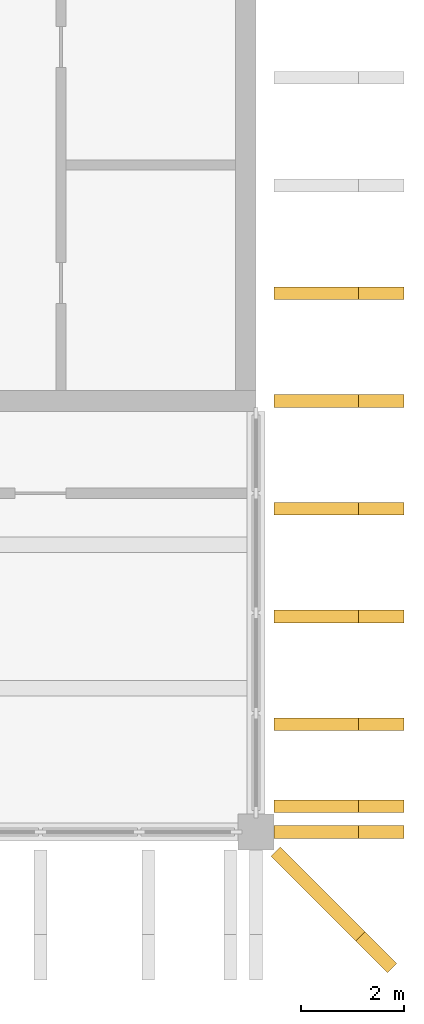
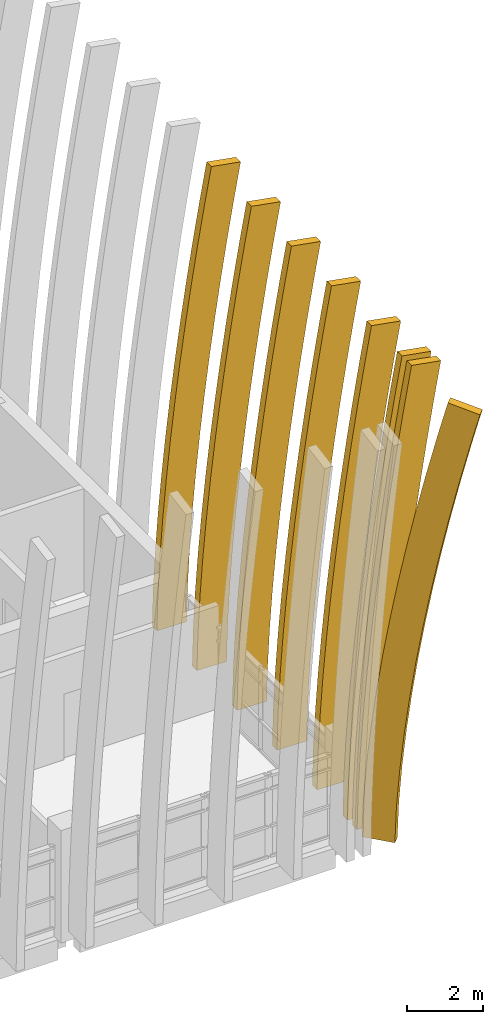
# One storey, part 12 of 19: 8 shading devices.
"""IFC4 building model written with IfcOpenShell, lengths in metres."""

from ifc_helpers import new_model, si_unit, direction, frame, origin, origin_2d, place, context, subcontext, project, spatial, rectangle, faceted_brep, material, material_profile, profile_set, type_object, element, save


model = new_model("IFC4")

# Units and contexts
model_context = context("Model", 3, precision=1e-05, world=origin(), true_north=direction((0.0, 1.0)))
body_context = subcontext(model_context, "Body", "Model", "MODEL_VIEW")
ifc_project = project(units=[si_unit("LENGTHUNIT", "METRE"), si_unit("AREAUNIT", "SQUARE_METRE"), si_unit("VOLUMEUNIT", "CUBIC_METRE"), si_unit("PLANEANGLEUNIT", "RADIAN"), si_unit("MASSUNIT", "GRAM", prefix="KILO")], contexts=[model_context])

# Site, building, storey
site_placement = place(None, origin())
site = spatial("IfcSite", under=ifc_project, at=site_placement, CompositionType="ELEMENT")
building_placement = place(site_placement, origin())
building = spatial("IfcBuilding", under=site, at=building_placement, Name="Rulbaag Community and Learning Centre", CompositionType="ELEMENT")
storey_placement = place(building_placement, frame((0.0, 0.0, 57.60009765625)))
storey = spatial("IfcBuildingStorey", under=building, at=storey_placement, Name="L15", CompositionType="ELEMENT", Elevation=57.60009765625)

# Shading devices
ifc_material = material(Name="Concrete M40", Category="concrete")
ifc_material_profile = material_profile(ifc_material, rectangle(XDim=0.25, YDim=0.89990234375, at=origin_2d()), Name="PC 250x900")
ifc_profile_set = profile_set([ifc_material_profile], Name="Concrete M40")
shading_device_type = type_object("IfcShadingDeviceType", Name="FIN-H", PredefinedType="JALOUSIE", material=ifc_profile_set)
shading_device_1_placement = place(storey_placement, frame((0.0, 0.0, -57.60009765625)))
element("IfcShadingDevice", 1, at=shading_device_1_placement, inside=storey, type_object=shading_device_type, Name="Precast crown fin", PredefinedType="JALOUSIE", context=body_context, shape_type="Brep", body=[
    faceted_brep([(169.25, 83.875, 57.587646484375), (169.25, 84.125, 57.587646484375), (168.35009765625, 84.125, 57.611083984375), (168.35009765625, 83.875, 57.611083984375), (169.99951171875, 83.875, 71.89794921875), (169.99951171875, 84.125, 71.89794921875), (170.88525390625, 84.125, 71.73876953125), (170.88525390625, 83.875, 71.73876953125), (168.380859375, 84.125, 58.790771484375), (168.380859375, 83.875, 58.790771484375), (169.2802734375, 84.125, 58.755126953125), (169.2802734375, 83.875, 58.755126953125), (168.44384765625, 84.125, 59.983154296875), (168.44384765625, 83.875, 59.983154296875), (169.34228515625, 84.125, 59.927001953125), (169.34228515625, 83.875, 59.927001953125), (168.529541015625, 84.125, 61.1748046875), (168.529541015625, 83.875, 61.1748046875), (169.426513671875, 84.125, 61.10302734375), (169.426513671875, 83.875, 61.10302734375), (168.634521484375, 84.125, 62.36669921875), (168.634521484375, 83.875, 62.36669921875), (169.530517578125, 84.125, 62.28125), (169.530517578125, 83.875, 62.28125), (168.756591796875, 84.125, 63.558349609375), (168.756591796875, 83.875, 63.558349609375), (169.651123046875, 84.125, 63.460693359375), (169.651123046875, 83.875, 63.460693359375), (168.894287109375, 84.125, 64.75), (168.894287109375, 83.875, 64.75), (169.787841796875, 84.125, 64.64111328125), (169.787841796875, 83.875, 64.64111328125), (169.046630859375, 84.125, 65.941650390625), (169.046630859375, 83.875, 65.941650390625), (169.938720703125, 84.125, 65.822509765625), (169.938720703125, 83.875, 65.822509765625), (169.21240234375, 84.125, 67.13330078125), (169.21240234375, 83.875, 67.13330078125), (170.10302734375, 84.125, 67.00439453125), (170.10302734375, 83.875, 67.00439453125), (169.391357421875, 84.125, 68.324951171875), (169.391357421875, 83.875, 68.324951171875), (170.280517578125, 84.125, 68.186767578125), (170.280517578125, 83.875, 68.186767578125), (169.582763671875, 84.125, 69.5166015625), (169.582763671875, 83.875, 69.5166015625), (170.470458984375, 84.125, 69.36962890625), (170.470458984375, 83.875, 69.36962890625), (169.785400390625, 84.125, 70.708251953125), (169.785400390625, 83.875, 70.708251953125), (170.672119140625, 84.125, 70.552978515625), (170.672119140625, 83.875, 70.552978515625)], [[[0, 1, 2, 3]], [[4, 5, 6, 7]], [[3, 2, 8, 9]], [[2, 1, 10, 8]], [[1, 0, 11, 10]], [[0, 3, 9, 11]], [[9, 8, 12, 13]], [[8, 10, 14, 12]], [[10, 11, 15, 14]], [[11, 9, 13, 15]], [[13, 12, 16, 17]], [[12, 14, 18, 16]], [[14, 15, 19, 18]], [[15, 13, 17, 19]], [[17, 16, 20, 21]], [[16, 18, 22, 20]], [[18, 19, 23, 22]], [[19, 17, 21, 23]], [[21, 20, 24, 25]], [[20, 22, 26, 24]], [[22, 23, 27, 26]], [[23, 21, 25, 27]], [[25, 24, 28, 29]], [[24, 26, 30, 28]], [[26, 27, 31, 30]], [[27, 25, 29, 31]], [[29, 28, 32, 33]], [[28, 30, 34, 32]], [[30, 31, 35, 34]], [[31, 29, 33, 35]], [[33, 32, 36, 37]], [[32, 34, 38, 36]], [[34, 35, 39, 38]], [[35, 33, 37, 39]], [[37, 36, 40, 41]], [[36, 38, 42, 40]], [[38, 39, 43, 42]], [[39, 37, 41, 43]], [[41, 40, 44, 45]], [[40, 42, 46, 44]], [[42, 43, 47, 46]], [[43, 41, 45, 47]], [[45, 44, 48, 49]], [[44, 46, 50, 48]], [[46, 47, 51, 50]], [[47, 45, 49, 51]], [[49, 48, 5, 4]], [[48, 50, 6, 5]], [[50, 51, 7, 6]], [[51, 49, 4, 7]]]),
])
shading_device_2_placement = place(storey_placement, frame((0.0, 0.0, -57.60009765625)))
element("IfcShadingDevice", 2, at=shading_device_2_placement, inside=storey, type_object=shading_device_type, Name="Precast crown fin", PredefinedType="JALOUSIE", context=body_context, shape_type="Brep", body=[
    faceted_brep([(169.25, 84.375, 57.587646484375), (169.25, 84.625, 57.587646484375), (168.35009765625, 84.625, 57.611083984375), (168.35009765625, 84.375, 57.611083984375), (169.99951171875, 84.375, 71.89794921875), (169.99951171875, 84.625, 71.89794921875), (170.88525390625, 84.625, 71.73876953125), (170.88525390625, 84.375, 71.73876953125), (168.380859375, 84.625, 58.790771484375), (168.380859375, 84.375, 58.790771484375), (169.2802734375, 84.625, 58.755126953125), (169.2802734375, 84.375, 58.755126953125), (168.44384765625, 84.625, 59.983154296875), (168.44384765625, 84.375, 59.983154296875), (169.34228515625, 84.625, 59.927001953125), (169.34228515625, 84.375, 59.927001953125), (168.529541015625, 84.625, 61.1748046875), (168.529541015625, 84.375, 61.1748046875), (169.426513671875, 84.625, 61.10302734375), (169.426513671875, 84.375, 61.10302734375), (168.634521484375, 84.625, 62.36669921875), (168.634521484375, 84.375, 62.36669921875), (169.530517578125, 84.625, 62.28125), (169.530517578125, 84.375, 62.28125), (168.756591796875, 84.625, 63.558349609375), (168.756591796875, 84.375, 63.558349609375), (169.651123046875, 84.625, 63.460693359375), (169.651123046875, 84.375, 63.460693359375), (168.894287109375, 84.625, 64.75), (168.894287109375, 84.375, 64.75), (169.787841796875, 84.625, 64.64111328125), (169.787841796875, 84.375, 64.64111328125), (169.046630859375, 84.625, 65.941650390625), (169.046630859375, 84.375, 65.941650390625), (169.938720703125, 84.625, 65.822509765625), (169.938720703125, 84.375, 65.822509765625), (169.21240234375, 84.625, 67.13330078125), (169.21240234375, 84.375, 67.13330078125), (170.10302734375, 84.625, 67.00439453125), (170.10302734375, 84.375, 67.00439453125), (169.391357421875, 84.625, 68.324951171875), (169.391357421875, 84.375, 68.324951171875), (170.280517578125, 84.625, 68.186767578125), (170.280517578125, 84.375, 68.186767578125), (169.582763671875, 84.625, 69.5166015625), (169.582763671875, 84.375, 69.5166015625), (170.470458984375, 84.625, 69.36962890625), (170.470458984375, 84.375, 69.36962890625), (169.785400390625, 84.625, 70.708251953125), (169.785400390625, 84.375, 70.708251953125), (170.672119140625, 84.625, 70.552978515625), (170.672119140625, 84.375, 70.552978515625)], [[[0, 1, 2, 3]], [[4, 5, 6, 7]], [[3, 2, 8, 9]], [[2, 1, 10, 8]], [[1, 0, 11, 10]], [[0, 3, 9, 11]], [[9, 8, 12, 13]], [[8, 10, 14, 12]], [[10, 11, 15, 14]], [[11, 9, 13, 15]], [[13, 12, 16, 17]], [[12, 14, 18, 16]], [[14, 15, 19, 18]], [[15, 13, 17, 19]], [[17, 16, 20, 21]], [[16, 18, 22, 20]], [[18, 19, 23, 22]], [[19, 17, 21, 23]], [[21, 20, 24, 25]], [[20, 22, 26, 24]], [[22, 23, 27, 26]], [[23, 21, 25, 27]], [[25, 24, 28, 29]], [[24, 26, 30, 28]], [[26, 27, 31, 30]], [[27, 25, 29, 31]], [[29, 28, 32, 33]], [[28, 30, 34, 32]], [[30, 31, 35, 34]], [[31, 29, 33, 35]], [[33, 32, 36, 37]], [[32, 34, 38, 36]], [[34, 35, 39, 38]], [[35, 33, 37, 39]], [[37, 36, 40, 41]], [[36, 38, 42, 40]], [[38, 39, 43, 42]], [[39, 37, 41, 43]], [[41, 40, 44, 45]], [[40, 42, 46, 44]], [[42, 43, 47, 46]], [[43, 41, 45, 47]], [[45, 44, 48, 49]], [[44, 46, 50, 48]], [[46, 47, 51, 50]], [[47, 45, 49, 51]], [[49, 48, 5, 4]], [[48, 50, 6, 5]], [[50, 51, 7, 6]], [[51, 49, 4, 7]]]),
])
shading_device_3_placement = place(storey_placement, frame((0.0, 0.0, -57.60009765625)))
element("IfcShadingDevice", 3, at=shading_device_3_placement, inside=storey, type_object=shading_device_type, Name="Precast crown fin", PredefinedType="JALOUSIE", context=body_context, shape_type="Brep", body=[
    faceted_brep([(169.25, 85.97509765625, 57.587646484375), (169.25, 86.22509765625, 57.587646484375), (168.35009765625, 86.22509765625, 57.611083984375), (168.35009765625, 85.97509765625, 57.611083984375), (169.99951171875, 85.97509765625, 71.89794921875), (169.99951171875, 86.22509765625, 71.89794921875), (170.88525390625, 86.22509765625, 71.73876953125), (170.88525390625, 85.97509765625, 71.73876953125), (168.380859375, 86.22509765625, 58.790771484375), (168.380859375, 85.97509765625, 58.790771484375), (169.2802734375, 86.22509765625, 58.755126953125), (169.2802734375, 85.97509765625, 58.755126953125), (168.44384765625, 86.22509765625, 59.983154296875), (168.44384765625, 85.97509765625, 59.983154296875), (169.34228515625, 86.22509765625, 59.927001953125), (169.34228515625, 85.97509765625, 59.927001953125), (168.529541015625, 86.22509765625, 61.1748046875), (168.529541015625, 85.97509765625, 61.1748046875), (169.426513671875, 86.22509765625, 61.10302734375), (169.426513671875, 85.97509765625, 61.10302734375), (168.634521484375, 86.22509765625, 62.36669921875), (168.634521484375, 85.97509765625, 62.36669921875), (169.530517578125, 86.22509765625, 62.28125), (169.530517578125, 85.97509765625, 62.28125), (168.756591796875, 86.22509765625, 63.558349609375), (168.756591796875, 85.97509765625, 63.558349609375), (169.651123046875, 86.22509765625, 63.460693359375), (169.651123046875, 85.97509765625, 63.460693359375), (168.894287109375, 86.22509765625, 64.75), (168.894287109375, 85.97509765625, 64.75), (169.787841796875, 86.22509765625, 64.64111328125), (169.787841796875, 85.97509765625, 64.64111328125), (169.046630859375, 86.22509765625, 65.941650390625), (169.046630859375, 85.97509765625, 65.941650390625), (169.938720703125, 86.22509765625, 65.822509765625), (169.938720703125, 85.97509765625, 65.822509765625), (169.21240234375, 86.22509765625, 67.13330078125), (169.21240234375, 85.97509765625, 67.13330078125), (170.10302734375, 86.22509765625, 67.00439453125), (170.10302734375, 85.97509765625, 67.00439453125), (169.391357421875, 86.22509765625, 68.324951171875), (169.391357421875, 85.97509765625, 68.324951171875), (170.280517578125, 86.22509765625, 68.186767578125), (170.280517578125, 85.97509765625, 68.186767578125), (169.582763671875, 86.22509765625, 69.5166015625), (169.582763671875, 85.97509765625, 69.5166015625), (170.470458984375, 86.22509765625, 69.36962890625), (170.470458984375, 85.97509765625, 69.36962890625), (169.785400390625, 86.22509765625, 70.708251953125), (169.785400390625, 85.97509765625, 70.708251953125), (170.672119140625, 86.22509765625, 70.552978515625), (170.672119140625, 85.97509765625, 70.552978515625)], [[[0, 1, 2, 3]], [[4, 5, 6, 7]], [[3, 2, 8, 9]], [[2, 1, 10, 8]], [[1, 0, 11, 10]], [[0, 3, 9, 11]], [[9, 8, 12, 13]], [[8, 10, 14, 12]], [[10, 11, 15, 14]], [[11, 9, 13, 15]], [[13, 12, 16, 17]], [[12, 14, 18, 16]], [[14, 15, 19, 18]], [[15, 13, 17, 19]], [[17, 16, 20, 21]], [[16, 18, 22, 20]], [[18, 19, 23, 22]], [[19, 17, 21, 23]], [[21, 20, 24, 25]], [[20, 22, 26, 24]], [[22, 23, 27, 26]], [[23, 21, 25, 27]], [[25, 24, 28, 29]], [[24, 26, 30, 28]], [[26, 27, 31, 30]], [[27, 25, 29, 31]], [[29, 28, 32, 33]], [[28, 30, 34, 32]], [[30, 31, 35, 34]], [[31, 29, 33, 35]], [[33, 32, 36, 37]], [[32, 34, 38, 36]], [[34, 35, 39, 38]], [[35, 33, 37, 39]], [[37, 36, 40, 41]], [[36, 38, 42, 40]], [[38, 39, 43, 42]], [[39, 37, 41, 43]], [[41, 40, 44, 45]], [[40, 42, 46, 44]], [[42, 43, 47, 46]], [[43, 41, 45, 47]], [[45, 44, 48, 49]], [[44, 46, 50, 48]], [[46, 47, 51, 50]], [[47, 45, 49, 51]], [[49, 48, 5, 4]], [[48, 50, 6, 5]], [[50, 51, 7, 6]], [[51, 49, 4, 7]]]),
])
shading_device_4_placement = place(storey_placement, frame((0.0, 0.0, -57.60009765625)))
element("IfcShadingDevice", 4, at=shading_device_4_placement, inside=storey, type_object=shading_device_type, Name="Precast crown fin", PredefinedType="JALOUSIE", context=body_context, shape_type="Brep", body=[
    faceted_brep([(169.25, 88.074951171875, 57.587646484375), (169.25, 88.324951171875, 57.587646484375), (168.35009765625, 88.324951171875, 57.611083984375), (168.35009765625, 88.074951171875, 57.611083984375), (169.99951171875, 88.074951171875, 71.89794921875), (169.99951171875, 88.324951171875, 71.89794921875), (170.88525390625, 88.324951171875, 71.73876953125), (170.88525390625, 88.074951171875, 71.73876953125), (168.380859375, 88.324951171875, 58.790771484375), (168.380859375, 88.074951171875, 58.790771484375), (169.2802734375, 88.324951171875, 58.755126953125), (169.2802734375, 88.074951171875, 58.755126953125), (168.44384765625, 88.324951171875, 59.983154296875), (168.44384765625, 88.074951171875, 59.983154296875), (169.34228515625, 88.324951171875, 59.927001953125), (169.34228515625, 88.074951171875, 59.927001953125), (168.529541015625, 88.324951171875, 61.1748046875), (168.529541015625, 88.074951171875, 61.1748046875), (169.426513671875, 88.324951171875, 61.10302734375), (169.426513671875, 88.074951171875, 61.10302734375), (168.634521484375, 88.324951171875, 62.36669921875), (168.634521484375, 88.074951171875, 62.36669921875), (169.530517578125, 88.324951171875, 62.28125), (169.530517578125, 88.074951171875, 62.28125), (168.756591796875, 88.324951171875, 63.558349609375), (168.756591796875, 88.074951171875, 63.558349609375), (169.651123046875, 88.324951171875, 63.460693359375), (169.651123046875, 88.074951171875, 63.460693359375), (168.894287109375, 88.324951171875, 64.75), (168.894287109375, 88.074951171875, 64.75), (169.787841796875, 88.324951171875, 64.64111328125), (169.787841796875, 88.074951171875, 64.64111328125), (169.046630859375, 88.324951171875, 65.941650390625), (169.046630859375, 88.074951171875, 65.941650390625), (169.938720703125, 88.324951171875, 65.822509765625), (169.938720703125, 88.074951171875, 65.822509765625), (169.21240234375, 88.324951171875, 67.13330078125), (169.21240234375, 88.074951171875, 67.13330078125), (170.10302734375, 88.324951171875, 67.00439453125), (170.10302734375, 88.074951171875, 67.00439453125), (169.391357421875, 88.324951171875, 68.324951171875), (169.391357421875, 88.074951171875, 68.324951171875), (170.280517578125, 88.324951171875, 68.186767578125), (170.280517578125, 88.074951171875, 68.186767578125), (169.582763671875, 88.324951171875, 69.5166015625), (169.582763671875, 88.074951171875, 69.5166015625), (170.470458984375, 88.324951171875, 69.36962890625), (170.470458984375, 88.074951171875, 69.36962890625), (169.785400390625, 88.324951171875, 70.708251953125), (169.785400390625, 88.074951171875, 70.708251953125), (170.672119140625, 88.324951171875, 70.552978515625), (170.672119140625, 88.074951171875, 70.552978515625)], [[[0, 1, 2, 3]], [[4, 5, 6, 7]], [[3, 2, 8, 9]], [[2, 1, 10, 8]], [[1, 0, 11, 10]], [[0, 3, 9, 11]], [[9, 8, 12, 13]], [[8, 10, 14, 12]], [[10, 11, 15, 14]], [[11, 9, 13, 15]], [[13, 12, 16, 17]], [[12, 14, 18, 16]], [[14, 15, 19, 18]], [[15, 13, 17, 19]], [[17, 16, 20, 21]], [[16, 18, 22, 20]], [[18, 19, 23, 22]], [[19, 17, 21, 23]], [[21, 20, 24, 25]], [[20, 22, 26, 24]], [[22, 23, 27, 26]], [[23, 21, 25, 27]], [[25, 24, 28, 29]], [[24, 26, 30, 28]], [[26, 27, 31, 30]], [[27, 25, 29, 31]], [[29, 28, 32, 33]], [[28, 30, 34, 32]], [[30, 31, 35, 34]], [[31, 29, 33, 35]], [[33, 32, 36, 37]], [[32, 34, 38, 36]], [[34, 35, 39, 38]], [[35, 33, 37, 39]], [[37, 36, 40, 41]], [[36, 38, 42, 40]], [[38, 39, 43, 42]], [[39, 37, 41, 43]], [[41, 40, 44, 45]], [[40, 42, 46, 44]], [[42, 43, 47, 46]], [[43, 41, 45, 47]], [[45, 44, 48, 49]], [[44, 46, 50, 48]], [[46, 47, 51, 50]], [[47, 45, 49, 51]], [[49, 48, 5, 4]], [[48, 50, 6, 5]], [[50, 51, 7, 6]], [[51, 49, 4, 7]]]),
])
shading_device_5_placement = place(storey_placement, frame((0.0, 0.0, -57.60009765625)))
element("IfcShadingDevice", 5, at=shading_device_5_placement, inside=storey, type_object=shading_device_type, Name="Precast crown fin", PredefinedType="JALOUSIE", context=body_context, shape_type="Brep", body=[
    faceted_brep([(169.25, 90.175048828125, 57.587646484375), (169.25, 90.425048828125, 57.587646484375), (168.35009765625, 90.425048828125, 57.611083984375), (168.35009765625, 90.175048828125, 57.611083984375), (169.99951171875, 90.175048828125, 71.89794921875), (169.99951171875, 90.425048828125, 71.89794921875), (170.88525390625, 90.425048828125, 71.73876953125), (170.88525390625, 90.175048828125, 71.73876953125), (168.380859375, 90.425048828125, 58.790771484375), (168.380859375, 90.175048828125, 58.790771484375), (169.2802734375, 90.425048828125, 58.755126953125), (169.2802734375, 90.175048828125, 58.755126953125), (168.44384765625, 90.425048828125, 59.983154296875), (168.44384765625, 90.175048828125, 59.983154296875), (169.34228515625, 90.425048828125, 59.927001953125), (169.34228515625, 90.175048828125, 59.927001953125), (168.529541015625, 90.425048828125, 61.1748046875), (168.529541015625, 90.175048828125, 61.1748046875), (169.426513671875, 90.425048828125, 61.10302734375), (169.426513671875, 90.175048828125, 61.10302734375), (168.634521484375, 90.425048828125, 62.36669921875), (168.634521484375, 90.175048828125, 62.36669921875), (169.530517578125, 90.425048828125, 62.28125), (169.530517578125, 90.175048828125, 62.28125), (168.756591796875, 90.425048828125, 63.558349609375), (168.756591796875, 90.175048828125, 63.558349609375), (169.651123046875, 90.425048828125, 63.460693359375), (169.651123046875, 90.175048828125, 63.460693359375), (168.894287109375, 90.425048828125, 64.75), (168.894287109375, 90.175048828125, 64.75), (169.787841796875, 90.425048828125, 64.64111328125), (169.787841796875, 90.175048828125, 64.64111328125), (169.046630859375, 90.425048828125, 65.941650390625), (169.046630859375, 90.175048828125, 65.941650390625), (169.938720703125, 90.425048828125, 65.822509765625), (169.938720703125, 90.175048828125, 65.822509765625), (169.21240234375, 90.425048828125, 67.13330078125), (169.21240234375, 90.175048828125, 67.13330078125), (170.10302734375, 90.425048828125, 67.00439453125), (170.10302734375, 90.175048828125, 67.00439453125), (169.391357421875, 90.425048828125, 68.324951171875), (169.391357421875, 90.175048828125, 68.324951171875), (170.280517578125, 90.425048828125, 68.186767578125), (170.280517578125, 90.175048828125, 68.186767578125), (169.582763671875, 90.425048828125, 69.5166015625), (169.582763671875, 90.175048828125, 69.5166015625), (170.470458984375, 90.425048828125, 69.36962890625), (170.470458984375, 90.175048828125, 69.36962890625), (169.785400390625, 90.425048828125, 70.708251953125), (169.785400390625, 90.175048828125, 70.708251953125), (170.672119140625, 90.425048828125, 70.552978515625), (170.672119140625, 90.175048828125, 70.552978515625)], [[[0, 1, 2, 3]], [[4, 5, 6, 7]], [[3, 2, 8, 9]], [[2, 1, 10, 8]], [[1, 0, 11, 10]], [[0, 3, 9, 11]], [[9, 8, 12, 13]], [[8, 10, 14, 12]], [[10, 11, 15, 14]], [[11, 9, 13, 15]], [[13, 12, 16, 17]], [[12, 14, 18, 16]], [[14, 15, 19, 18]], [[15, 13, 17, 19]], [[17, 16, 20, 21]], [[16, 18, 22, 20]], [[18, 19, 23, 22]], [[19, 17, 21, 23]], [[21, 20, 24, 25]], [[20, 22, 26, 24]], [[22, 23, 27, 26]], [[23, 21, 25, 27]], [[25, 24, 28, 29]], [[24, 26, 30, 28]], [[26, 27, 31, 30]], [[27, 25, 29, 31]], [[29, 28, 32, 33]], [[28, 30, 34, 32]], [[30, 31, 35, 34]], [[31, 29, 33, 35]], [[33, 32, 36, 37]], [[32, 34, 38, 36]], [[34, 35, 39, 38]], [[35, 33, 37, 39]], [[37, 36, 40, 41]], [[36, 38, 42, 40]], [[38, 39, 43, 42]], [[39, 37, 41, 43]], [[41, 40, 44, 45]], [[40, 42, 46, 44]], [[42, 43, 47, 46]], [[43, 41, 45, 47]], [[45, 44, 48, 49]], [[44, 46, 50, 48]], [[46, 47, 51, 50]], [[47, 45, 49, 51]], [[49, 48, 5, 4]], [[48, 50, 6, 5]], [[50, 51, 7, 6]], [[51, 49, 4, 7]]]),
])
shading_device_6_placement = place(storey_placement, frame((0.0, 0.0, -57.60009765625)))
element("IfcShadingDevice", 6, at=shading_device_6_placement, inside=storey, type_object=shading_device_type, Name="Precast crown fin", PredefinedType="JALOUSIE", context=body_context, shape_type="Brep", body=[
    faceted_brep([(169.25, 92.27490234375, 57.587646484375), (169.25, 92.52490234375, 57.587646484375), (168.35009765625, 92.52490234375, 57.611083984375), (168.35009765625, 92.27490234375, 57.611083984375), (169.99951171875, 92.27490234375, 71.89794921875), (169.99951171875, 92.52490234375, 71.89794921875), (170.88525390625, 92.52490234375, 71.73876953125), (170.88525390625, 92.27490234375, 71.73876953125), (168.380859375, 92.52490234375, 58.790771484375), (168.380859375, 92.27490234375, 58.790771484375), (169.2802734375, 92.52490234375, 58.755126953125), (169.2802734375, 92.27490234375, 58.755126953125), (168.44384765625, 92.52490234375, 59.983154296875), (168.44384765625, 92.27490234375, 59.983154296875), (169.34228515625, 92.52490234375, 59.927001953125), (169.34228515625, 92.27490234375, 59.927001953125), (168.529541015625, 92.52490234375, 61.1748046875), (168.529541015625, 92.27490234375, 61.1748046875), (169.426513671875, 92.52490234375, 61.10302734375), (169.426513671875, 92.27490234375, 61.10302734375), (168.634521484375, 92.52490234375, 62.36669921875), (168.634521484375, 92.27490234375, 62.36669921875), (169.530517578125, 92.52490234375, 62.28125), (169.530517578125, 92.27490234375, 62.28125), (168.756591796875, 92.52490234375, 63.558349609375), (168.756591796875, 92.27490234375, 63.558349609375), (169.651123046875, 92.52490234375, 63.460693359375), (169.651123046875, 92.27490234375, 63.460693359375), (168.894287109375, 92.52490234375, 64.75), (168.894287109375, 92.27490234375, 64.75), (169.787841796875, 92.52490234375, 64.64111328125), (169.787841796875, 92.27490234375, 64.64111328125), (169.046630859375, 92.52490234375, 65.941650390625), (169.046630859375, 92.27490234375, 65.941650390625), (169.938720703125, 92.52490234375, 65.822509765625), (169.938720703125, 92.27490234375, 65.822509765625), (169.21240234375, 92.52490234375, 67.13330078125), (169.21240234375, 92.27490234375, 67.13330078125), (170.10302734375, 92.52490234375, 67.00439453125), (170.10302734375, 92.27490234375, 67.00439453125), (169.391357421875, 92.52490234375, 68.324951171875), (169.391357421875, 92.27490234375, 68.324951171875), (170.280517578125, 92.52490234375, 68.186767578125), (170.280517578125, 92.27490234375, 68.186767578125), (169.582763671875, 92.52490234375, 69.5166015625), (169.582763671875, 92.27490234375, 69.5166015625), (170.470458984375, 92.52490234375, 69.36962890625), (170.470458984375, 92.27490234375, 69.36962890625), (169.785400390625, 92.52490234375, 70.708251953125), (169.785400390625, 92.27490234375, 70.708251953125), (170.672119140625, 92.52490234375, 70.552978515625), (170.672119140625, 92.27490234375, 70.552978515625)], [[[0, 1, 2, 3]], [[4, 5, 6, 7]], [[3, 2, 8, 9]], [[2, 1, 10, 8]], [[1, 0, 11, 10]], [[0, 3, 9, 11]], [[9, 8, 12, 13]], [[8, 10, 14, 12]], [[10, 11, 15, 14]], [[11, 9, 13, 15]], [[13, 12, 16, 17]], [[12, 14, 18, 16]], [[14, 15, 19, 18]], [[15, 13, 17, 19]], [[17, 16, 20, 21]], [[16, 18, 22, 20]], [[18, 19, 23, 22]], [[19, 17, 21, 23]], [[21, 20, 24, 25]], [[20, 22, 26, 24]], [[22, 23, 27, 26]], [[23, 21, 25, 27]], [[25, 24, 28, 29]], [[24, 26, 30, 28]], [[26, 27, 31, 30]], [[27, 25, 29, 31]], [[29, 28, 32, 33]], [[28, 30, 34, 32]], [[30, 31, 35, 34]], [[31, 29, 33, 35]], [[33, 32, 36, 37]], [[32, 34, 38, 36]], [[34, 35, 39, 38]], [[35, 33, 37, 39]], [[37, 36, 40, 41]], [[36, 38, 42, 40]], [[38, 39, 43, 42]], [[39, 37, 41, 43]], [[41, 40, 44, 45]], [[40, 42, 46, 44]], [[42, 43, 47, 46]], [[43, 41, 45, 47]], [[45, 44, 48, 49]], [[44, 46, 50, 48]], [[46, 47, 51, 50]], [[47, 45, 49, 51]], [[49, 48, 5, 4]], [[48, 50, 6, 5]], [[50, 51, 7, 6]], [[51, 49, 4, 7]]]),
])
shading_device_7_placement = place(storey_placement, frame((0.0, 0.0, -57.60009765625)))
element("IfcShadingDevice", 7, at=shading_device_7_placement, inside=storey, type_object=shading_device_type, Name="Precast crown fin", PredefinedType="JALOUSIE", context=body_context, shape_type="Brep", body=[
    faceted_brep([(169.25, 94.375, 57.587646484375), (169.25, 94.625, 57.587646484375), (168.35009765625, 94.625, 57.611083984375), (168.35009765625, 94.375, 57.611083984375), (169.99951171875, 94.375, 71.89794921875), (169.99951171875, 94.625, 71.89794921875), (170.88525390625, 94.625, 71.73876953125), (170.88525390625, 94.375, 71.73876953125), (168.380859375, 94.625, 58.790771484375), (168.380859375, 94.375, 58.790771484375), (169.2802734375, 94.625, 58.755126953125), (169.2802734375, 94.375, 58.755126953125), (168.44384765625, 94.625, 59.983154296875), (168.44384765625, 94.375, 59.983154296875), (169.34228515625, 94.625, 59.927001953125), (169.34228515625, 94.375, 59.927001953125), (168.529541015625, 94.625, 61.1748046875), (168.529541015625, 94.375, 61.1748046875), (169.426513671875, 94.625, 61.10302734375), (169.426513671875, 94.375, 61.10302734375), (168.634521484375, 94.625, 62.36669921875), (168.634521484375, 94.375, 62.36669921875), (169.530517578125, 94.625, 62.28125), (169.530517578125, 94.375, 62.28125), (168.756591796875, 94.625, 63.558349609375), (168.756591796875, 94.375, 63.558349609375), (169.651123046875, 94.625, 63.460693359375), (169.651123046875, 94.375, 63.460693359375), (168.894287109375, 94.625, 64.75), (168.894287109375, 94.375, 64.75), (169.787841796875, 94.625, 64.64111328125), (169.787841796875, 94.375, 64.64111328125), (169.046630859375, 94.625, 65.941650390625), (169.046630859375, 94.375, 65.941650390625), (169.938720703125, 94.625, 65.822509765625), (169.938720703125, 94.375, 65.822509765625), (169.21240234375, 94.625, 67.13330078125), (169.21240234375, 94.375, 67.13330078125), (170.10302734375, 94.625, 67.00439453125), (170.10302734375, 94.375, 67.00439453125), (169.391357421875, 94.625, 68.324951171875), (169.391357421875, 94.375, 68.324951171875), (170.280517578125, 94.625, 68.186767578125), (170.280517578125, 94.375, 68.186767578125), (169.582763671875, 94.625, 69.5166015625), (169.582763671875, 94.375, 69.5166015625), (170.470458984375, 94.625, 69.36962890625), (170.470458984375, 94.375, 69.36962890625), (169.785400390625, 94.625, 70.708251953125), (169.785400390625, 94.375, 70.708251953125), (170.672119140625, 94.625, 70.552978515625), (170.672119140625, 94.375, 70.552978515625)], [[[0, 1, 2, 3]], [[4, 5, 6, 7]], [[3, 2, 8, 9]], [[2, 1, 10, 8]], [[1, 0, 11, 10]], [[0, 3, 9, 11]], [[9, 8, 12, 13]], [[8, 10, 14, 12]], [[10, 11, 15, 14]], [[11, 9, 13, 15]], [[13, 12, 16, 17]], [[12, 14, 18, 16]], [[14, 15, 19, 18]], [[15, 13, 17, 19]], [[17, 16, 20, 21]], [[16, 18, 22, 20]], [[18, 19, 23, 22]], [[19, 17, 21, 23]], [[21, 20, 24, 25]], [[20, 22, 26, 24]], [[22, 23, 27, 26]], [[23, 21, 25, 27]], [[25, 24, 28, 29]], [[24, 26, 30, 28]], [[26, 27, 31, 30]], [[27, 25, 29, 31]], [[29, 28, 32, 33]], [[28, 30, 34, 32]], [[30, 31, 35, 34]], [[31, 29, 33, 35]], [[33, 32, 36, 37]], [[32, 34, 38, 36]], [[34, 35, 39, 38]], [[35, 33, 37, 39]], [[37, 36, 40, 41]], [[36, 38, 42, 40]], [[38, 39, 43, 42]], [[39, 37, 41, 43]], [[41, 40, 44, 45]], [[40, 42, 46, 44]], [[42, 43, 47, 46]], [[43, 41, 45, 47]], [[45, 44, 48, 49]], [[44, 46, 50, 48]], [[46, 47, 51, 50]], [[47, 45, 49, 51]], [[49, 48, 5, 4]], [[48, 50, 6, 5]], [[50, 51, 7, 6]], [[51, 49, 4, 7]]]),
])
shading_device_8_placement = place(storey_placement, frame((0.0, 0.0, -57.60009765625)))
element("IfcShadingDevice", 8, at=shading_device_8_placement, inside=storey, type_object=shading_device_type, Name="Precast crown corner fin", PredefinedType="JALOUSIE", context=body_context, shape_type="Brep", body=[
    faceted_brep([(168.92822265625, 82.89501953125, 57.582763671875), (169.10498046875, 83.07177734375, 57.582763671875), (168.46923828125, 83.70751953125, 57.615966796875), (168.29248046875, 83.53076171875, 57.615966796875), (169.947021484375, 81.8759765625, 71.931396484375), (170.1240234375, 82.052978515625, 71.931396484375), (170.739990234375, 81.43701171875, 71.705322265625), (170.56298828125, 81.260009765625, 71.705322265625), (168.500244140625, 83.676513671875, 58.798095703125), (168.323486328125, 83.499755859375, 58.798095703125), (169.135498046875, 83.041259765625, 58.747802734375), (168.958740234375, 82.864501953125, 58.747802734375), (168.5634765625, 83.61328125, 59.99462890625), (168.38671875, 83.4365234375, 59.99462890625), (169.197265625, 82.9794921875, 59.91552734375), (169.0205078125, 82.802734375, 59.91552734375), (168.6494140625, 83.52734375, 61.189453125), (168.47265625, 83.3505859375, 61.189453125), (169.28173828125, 82.89501953125, 61.08837890625), (169.10498046875, 82.71826171875, 61.08837890625), (168.754638671875, 83.422119140625, 62.38427734375), (168.577880859375, 83.245361328125, 62.38427734375), (169.385498046875, 82.791259765625, 62.263671875), (169.208740234375, 82.614501953125, 62.263671875), (168.87744140625, 83.29931640625, 63.578125), (168.70068359375, 83.12255859375, 63.578125), (169.50634765625, 82.67041015625, 63.44091796875), (169.32958984375, 82.49365234375, 63.44091796875), (169.015625, 83.1611328125, 64.77197265625), (168.8388671875, 82.984375, 64.77197265625), (169.642578125, 82.5341796875, 64.619140625), (169.4658203125, 82.357421875, 64.619140625), (169.16796875, 83.0087890625, 65.965576171875), (168.9912109375, 82.83203125, 65.965576171875), (169.79345703125, 82.38330078125, 65.798583984375), (169.61669921875, 82.20654296875, 65.798583984375), (169.33447265625, 82.84228515625, 67.1591796875), (169.15771484375, 82.66552734375, 67.1591796875), (169.9580078125, 82.21875, 66.978515625), (169.78125, 82.0419921875, 66.978515625), (169.513671875, 82.6630859375, 68.3525390625), (169.3369140625, 82.486328125, 68.3525390625), (170.13525390625, 82.04150390625, 68.1591796875), (169.95849609375, 81.86474609375, 68.1591796875), (169.70556640625, 82.47119140625, 69.545654296875), (169.52880859375, 82.29443359375, 69.545654296875), (170.3251953125, 81.8515625, 69.340576171875), (170.1484375, 81.6748046875, 69.340576171875), (169.90869140625, 82.26806640625, 70.7373046875), (169.73193359375, 82.09130859375, 70.7373046875), (170.52685546875, 81.64990234375, 70.52392578125), (170.35009765625, 81.47314453125, 70.52392578125), (169.99609375, 82.1806640625, 71.23046875), (169.8193359375, 82.00390625, 71.23046875), (170.61328125, 81.5634765625, 71.0107421875), (170.4365234375, 81.38671875, 71.0107421875), (170.032470703125, 82.14453125, 71.431884765625), (169.85546875, 81.967529296875, 71.431884765625), (170.64892578125, 81.528076171875, 71.208251953125), (170.471923828125, 81.35107421875, 71.208251953125), (170.06884765625, 82.10791015625, 71.632080078125), (169.89208984375, 81.93115234375, 71.632080078125), (170.68505859375, 81.49169921875, 71.406494140625), (170.50830078125, 81.31494140625, 71.406494140625)], [[[0, 1, 2, 3]], [[4, 5, 6, 7]], [[3, 2, 8, 9]], [[2, 1, 10, 8]], [[1, 0, 11, 10]], [[0, 3, 9, 11]], [[9, 8, 12, 13]], [[8, 10, 14, 12]], [[10, 11, 15, 14]], [[11, 9, 13, 15]], [[13, 12, 16, 17]], [[12, 14, 18, 16]], [[14, 15, 19, 18]], [[15, 13, 17, 19]], [[17, 16, 20, 21]], [[16, 18, 22, 20]], [[18, 19, 23, 22]], [[19, 17, 21, 23]], [[21, 20, 24, 25]], [[20, 22, 26, 24]], [[22, 23, 27, 26]], [[23, 21, 25, 27]], [[25, 24, 28, 29]], [[24, 26, 30, 28]], [[26, 27, 31, 30]], [[27, 25, 29, 31]], [[29, 28, 32, 33]], [[28, 30, 34, 32]], [[30, 31, 35, 34]], [[31, 29, 33, 35]], [[33, 32, 36, 37]], [[32, 34, 38, 36]], [[34, 35, 39, 38]], [[35, 33, 37, 39]], [[37, 36, 40, 41]], [[36, 38, 42, 40]], [[38, 39, 43, 42]], [[39, 37, 41, 43]], [[41, 40, 44, 45]], [[40, 42, 46, 44]], [[42, 43, 47, 46]], [[43, 41, 45, 47]], [[45, 44, 48, 49]], [[44, 46, 50, 48]], [[46, 47, 51, 50]], [[47, 45, 49, 51]], [[49, 48, 52, 53]], [[48, 50, 54, 52]], [[50, 51, 55, 54]], [[51, 49, 53, 55]], [[53, 52, 56, 57]], [[52, 54, 58, 56]], [[54, 55, 59, 58]], [[55, 53, 57, 59]], [[57, 56, 60, 61]], [[56, 58, 62, 60]], [[58, 59, 63, 62]], [[59, 57, 61, 63]], [[61, 60, 5, 4]], [[60, 62, 6, 5]], [[62, 63, 7, 6]], [[63, 61, 4, 7]]]),
])

save(model, "model.ifc")
